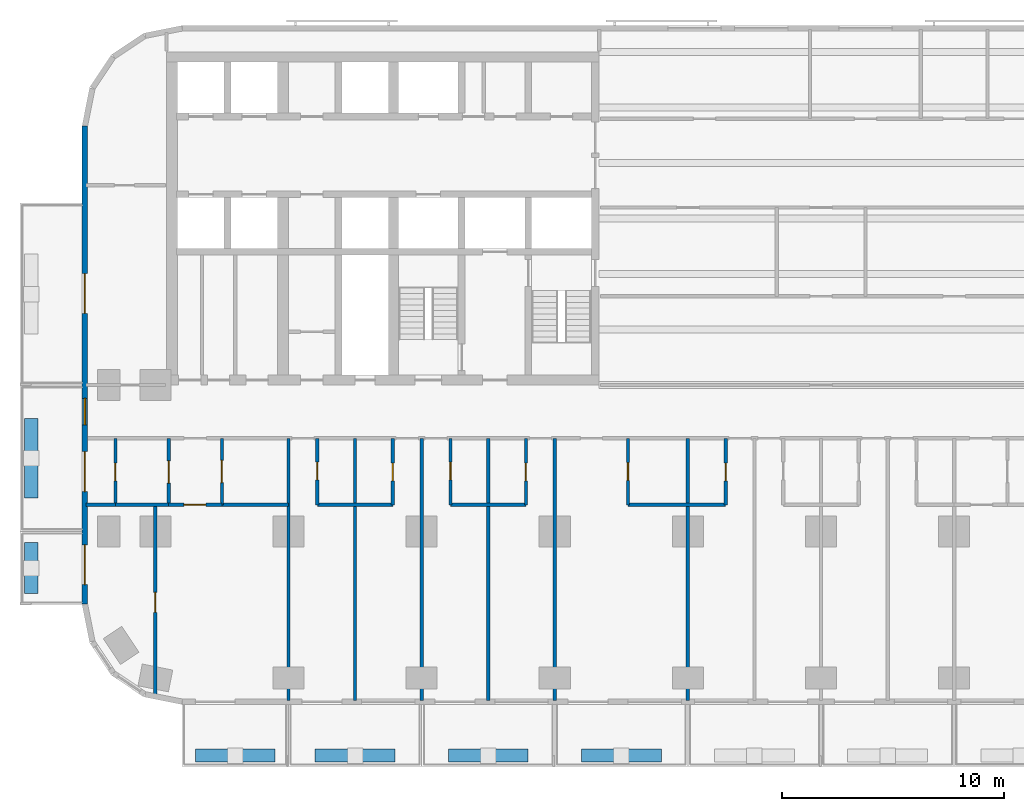
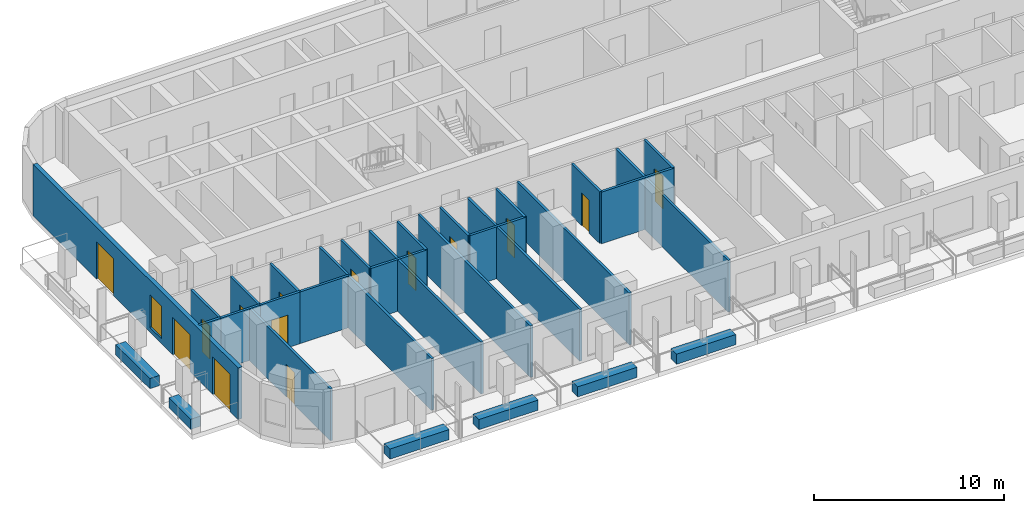
# One storey, part 2 of 15: 30 walls, 14 doors, 1 window, 15 openings.
"""IFC4 building model written with IfcOpenShell, lengths in metres."""

from ifc_helpers import new_model, si_unit, direction, frame, frame_2d, origin, place, context, subcontext, project, spatial, rectangle, extrude, material, layer, layer_set, type_object, element, fill, save


model = new_model("IFC4")

# Units and contexts
model_context = context("Model", 3, precision=1e-05, world=origin(), true_north=direction((0.0, 1.0)))
body_context = subcontext(model_context, "Body", "Model", "MODEL_VIEW")
ifc_project = project(units=[si_unit("LENGTHUNIT", "METRE"), si_unit("AREAUNIT", "SQUARE_METRE"), si_unit("VOLUMEUNIT", "CUBIC_METRE"), si_unit("PLANEANGLEUNIT", "RADIAN"), si_unit("MASSUNIT", "GRAM", prefix="KILO")], contexts=[model_context])

# Site, building, storey
site_placement = place(None, origin())
site = spatial("IfcSite", under=ifc_project, at=site_placement, CompositionType="ELEMENT")
building_placement = place(site_placement, origin())
building = spatial("IfcBuilding", under=site, at=building_placement, Name="Torana Hotel and Residences", CompositionType="ELEMENT")
storey_placement = place(building_placement, frame((0.0, 0.0, 49.199951171875)))
storey = spatial("IfcBuildingStorey", under=building, at=storey_placement, Name="L11", CompositionType="ELEMENT", Elevation=49.199951171875)

# Wall, openings, doors, window
ifc_material_1 = material(Name="Black aluminium composite panel", Category="aluminium")
ifc_layer_1 = layer(ifc_material_1, 0.00390625, Name="Cladding", Category="cladding")
ifc_material_2 = material(Name="Ventilated air cavity")
ifc_layer_2 = layer(ifc_material_2, 0.0400390625, Name="Ventilated cavity", Category="cavity")
ifc_material_3 = material(Name="Mineral wool insulation")
ifc_layer_3 = layer(ifc_material_3, 0.090087890625, Name="Insulation", Category="insulation")
ifc_material_4 = material(Name="Steel S280GD", Category="steel")
ifc_layer_4 = layer(ifc_material_4, 0.092041015625, Name="Steel stud frame", Category="structure")
ifc_material_5 = material(Name="Fire rated plasterboard")
ifc_layer_5 = layer(ifc_material_5, 0.011962890625, Name="Inner board", Category="finish")
ifc_layer_6 = layer(ifc_material_5, 0.011962890625, Name="Second board", Category="finish")
ifc_layer_set_1 = layer_set([ifc_layer_1, ifc_layer_2, ifc_layer_3, ifc_layer_4, ifc_layer_5, ifc_layer_6], Name="EW1 EXTERNAL WALL BLACK METAL CLAD 250")
wall_type_1 = type_object("IfcWallType", Name="EW1 EXTERNAL WALL BLACK METAL CLAD 250", PredefinedType="SOLIDWALL", material=ifc_layer_set_1)
wall_1_placement = place(storey_placement, frame((-33.175048828125, -3.32470703125, 0.0), z_axis=(0.0, 0.0, 1.0), x_axis=(0.0, -1.0, 0.0)))
wall_1 = element("IfcWall", 1, at=wall_1_placement, inside=storey, type_object=wall_type_1, Name="External wall L11 e0.9", PredefinedType="SOLIDWALL", context=body_context, shape_type="SweptSolid", body=[
    extrude(rectangle(XDim=21.55078125, YDim=0.25, at=frame_2d((10.775390625, 0.0))), origin(), (0.0, 0.0, 1.0), 3.320068359375),
])
opening_1_placement = place(wall_1_placement, frame((6.650390625, 0.0, 0.0)))
opening_1 = element("IfcOpeningElement", 2, at=opening_1_placement, cuts=wall_1, Name="Opening L11-E14", PredefinedType="OPENING", context=body_context, shape_type="SweptSolid", body=[
    extrude(rectangle(XDim=1.800048828125, YDim=2.39990234375, at=frame_2d((0.89990234375, 1.199951171875))), frame((0.0, 0.135009765625, 0.0), z_axis=(0.0, -1.0, 0.0), x_axis=(1.0, 0.0, 0.0)), (0.0, 0.0, 1.0), 0.27001953125),
])
opening_2_placement = place(wall_1_placement, frame((12.275390625, 0.0, 0.300048828125)))
opening_2 = element("IfcOpeningElement", 3, at=opening_2_placement, cuts=wall_1, Name="Opening W7", PredefinedType="OPENING", context=body_context, shape_type="SweptSolid", body=[
    extrude(rectangle(XDim=1.199951171875, YDim=2.10009765625, at=frame_2d((0.60009765625, 1.050048828125))), frame((0.0, 0.135009765625, 0.0), z_axis=(0.0, -1.0, 0.0), x_axis=(1.0, 0.0, 0.0)), (0.0, 0.0, 1.0), 0.27001953125),
])
opening_3_placement = place(wall_1_placement, frame((14.67529296875, 0.0, 0.0)))
opening_3 = element("IfcOpeningElement", 4, at=opening_3_placement, cuts=wall_1, Name="Opening L11-E15", PredefinedType="OPENING", context=body_context, shape_type="SweptSolid", body=[
    extrude(rectangle(XDim=1.800048828125, YDim=2.39990234375, at=frame_2d((0.89990234375, 1.199951171875))), frame((0.0, 0.135009765625, 0.0), z_axis=(0.0, -1.0, 0.0), x_axis=(1.0, 0.0, 0.0)), (0.0, 0.0, 1.0), 0.27001953125),
])
opening_4_placement = place(wall_1_placement, frame((18.87548828125, 0.0, 0.0)))
opening_4 = element("IfcOpeningElement", 5, at=opening_4_placement, cuts=wall_1, Name="Opening L11-E16", PredefinedType="OPENING", context=body_context, shape_type="SweptSolid", body=[
    extrude(rectangle(XDim=1.800048828125, YDim=2.39990234375, at=frame_2d((0.89990234375, 1.199951171875))), frame((0.0, 0.135009765625, 0.0), z_axis=(0.0, -1.0, 0.0), x_axis=(1.0, 0.0, 0.0)), (0.0, 0.0, 1.0), 0.27001953125),
])
ifc_material_6 = material(Name="Dark glass in black aluminium frame", Category="aluminium")
door_type_1 = type_object("IfcDoorType", Name="DB1 BALCONY DOOR 1800x2400", OperationType="DOUBLE_DOOR_SINGLE_SWING", PredefinedType="DOOR", material=ifc_material_6)
door_1_placement = place(opening_1_placement, origin())
door_1 = element("IfcDoor", 6, at=door_1_placement, inside=storey, type_object=door_type_1, Name="Balcony door L11", OperationType="DOUBLE_DOOR_SINGLE_SWING", OverallHeight=2.39990234375, OverallWidth=1.800048828125, PredefinedType="DOOR", context=body_context, shape_type="SweptSolid", body=[
    extrude(rectangle(XDim=1.800048828125, YDim=2.39990234375, at=frame_2d((0.89990234375, 1.199951171875))), frame((0.0, 0.02490234375, 0.0), z_axis=(0.0, -1.0, 0.0), x_axis=(1.0, 0.0, 0.0)), (0.0, 0.0, 1.0), 0.050048828125),
])
fill(opening_1, door_1)
door_2_placement = place(opening_3_placement, origin())
door_2 = element("IfcDoor", 7, at=door_2_placement, inside=storey, type_object=door_type_1, Name="Balcony door L11", OperationType="DOUBLE_DOOR_SINGLE_SWING", OverallHeight=2.39990234375, OverallWidth=1.800048828125, PredefinedType="DOOR", context=body_context, shape_type="SweptSolid", body=[
    extrude(rectangle(XDim=1.800048828125, YDim=2.39990234375, at=frame_2d((0.89990234375, 1.199951171875))), frame((0.0, 0.02490234375, 0.0), z_axis=(0.0, -1.0, 0.0), x_axis=(1.0, 0.0, 0.0)), (0.0, 0.0, 1.0), 0.050048828125),
])
fill(opening_3, door_2)
door_3_placement = place(opening_4_placement, frame((0.89990234375, 0.0, 0.0), z_axis=(0.0, 0.0, 1.0), x_axis=(-1.0, 0.0, 0.0)))
door_3 = element("IfcDoor", 8, at=door_3_placement, inside=storey, type_object=door_type_1, Name="Balcony door L11", OperationType="DOUBLE_DOOR_SINGLE_SWING", OverallHeight=2.39990234375, OverallWidth=1.800048828125, PredefinedType="DOOR", context=body_context, shape_type="SweptSolid", body=[
    extrude(rectangle(XDim=1.800048828125, YDim=2.39990234375, at=frame_2d((0.0, 1.199951171875))), frame((0.0, -0.02490234375, 0.0), z_axis=(0.0, 1.0, 0.0), x_axis=(-1.0, 0.0, 0.0)), (0.0, 0.0, 1.0), 0.050048828125),
])
fill(opening_4, door_3)
ifc_material_7 = material(Name="Dark glass in black aluminium frame", Category="aluminium")
window_type = type_object("IfcWindowType", Name="W7 HOTEL CORRIDOR WINDOW 1200x2100", PartitioningType="SINGLE_PANEL", PredefinedType="WINDOW", material=ifc_material_7)
window_placement = place(opening_2_placement, origin())
window = element("IfcWindow", 9, at=window_placement, inside=storey, type_object=window_type, Name="Window L11", OverallHeight=2.10009765625, OverallWidth=1.199951171875, PartitioningType="SINGLE_PANEL", PredefinedType="WINDOW", context=body_context, shape_type="SweptSolid", body=[
    extrude(rectangle(XDim=1.199951171875, YDim=2.10009765625, at=frame_2d((0.60009765625, 1.050048828125))), frame((0.0, 0.030029296875, 0.0), z_axis=(0.0, -1.0, 0.0), x_axis=(1.0, 0.0, 0.0)), (0.0, 0.0, 1.0), 0.06005859375),
])
fill(opening_2, window)

# Wall, opening, door
ifc_material_8 = material(Name="Gypsum plaster")
ifc_layer_7 = layer(ifc_material_8, 0.014892578125, Name="Plaster", Category="finish")
ifc_material_9 = material(Name="Concrete blockwork", Category="masonry")
ifc_layer_8 = layer(ifc_material_9, 0.1201171875, Name="Blockwork", Category="structure")
ifc_layer_9 = layer(ifc_material_8, 0.014892578125, Name="Plaster", Category="finish")
ifc_layer_set_2 = layer_set([ifc_layer_7, ifc_layer_8, ifc_layer_9], Name="FIRE PARTITION 150 BLOCKWORK")
wall_type_2 = type_object("IfcWallType", Name="FIRE PARTITION 150 BLOCKWORK", PredefinedType="PARTITIONING", material=ifc_layer_set_2)
wall_2_placement = place(storey_placement, frame((-27.0, -20.39990234375, 0.0), z_axis=(0.0, 0.0, 1.0), x_axis=(0.0, 1.0, 0.0)))
wall_2 = element("IfcWall", 10, at=wall_2_placement, inside=storey, type_object=wall_type_2, Name="Partition L11", PredefinedType="PARTITIONING", context=body_context, shape_type="SweptSolid", body=[
    extrude(rectangle(XDim=3.0, YDim=0.14990234375, at=frame_2d((1.5, 0.0))), origin(), (0.0, 0.0, 1.0), 3.320068359375),
])
opening_5_placement = place(wall_2_placement, frame((1.0, 0.0, 0.0)))
opening_5 = element("IfcOpeningElement", 11, at=opening_5_placement, cuts=wall_2, Name="Opening L11-79", PredefinedType="OPENING", context=body_context, shape_type="SweptSolid", body=[
    extrude(rectangle(XDim=1.0, YDim=2.10009765625, at=frame_2d((0.5, 1.050048828125))), frame((0.0, 0.0849609375, 0.0), z_axis=(0.0, -1.0, 0.0), x_axis=(1.0, 0.0, 0.0)), (0.0, 0.0, 1.0), 0.169921875),
])
ifc_material_10 = material(Name="Steel S235", Category="steel")
door_type_2 = type_object("IfcDoorType", Name="ENTRY FIRE DOOR D6 1000x2100", OperationType="SINGLE_SWING_LEFT", PredefinedType="DOOR", material=ifc_material_10)
door_4_placement = place(opening_5_placement, frame((0.5, 0.0, 0.0), z_axis=(0.0, 0.0, 1.0), x_axis=(-1.0, 0.0, 0.0)))
door_4 = element("IfcDoor", 12, at=door_4_placement, inside=storey, type_object=door_type_2, Name="Door L11", OperationType="SINGLE_SWING_LEFT", OverallHeight=2.10009765625, OverallWidth=1.0, PredefinedType="DOOR", context=body_context, shape_type="SweptSolid", body=[
    extrude(rectangle(XDim=1.0, YDim=2.10009765625, at=frame_2d((0.0, 1.050048828125))), frame((0.0, -0.02490234375, 0.0), z_axis=(0.0, 1.0, 0.0), x_axis=(-1.0, 0.0, 0.0)), (0.0, 0.0, 1.0), 0.050048828125),
])
fill(opening_5, door_4)

wall_3_placement = place(storey_placement, frame((-29.39990234375, -20.39990234375, 0.0), z_axis=(0.0, 0.0, 1.0), x_axis=(0.0, 1.0, 0.0)))
wall_3 = element("IfcWall", 13, at=wall_3_placement, inside=storey, type_object=wall_type_2, Name="Partition L11", PredefinedType="PARTITIONING", context=body_context, shape_type="SweptSolid", body=[
    extrude(rectangle(XDim=3.0, YDim=0.14990234375, at=frame_2d((1.5, 0.0))), origin(), (0.0, 0.0, 1.0), 3.320068359375),
])
opening_6_placement = place(wall_3_placement, frame((0.97998046875, 0.0, 0.0)))
opening_6 = element("IfcOpeningElement", 14, at=opening_6_placement, cuts=wall_3, Name="Opening L11-80", PredefinedType="OPENING", context=body_context, shape_type="SweptSolid", body=[
    extrude(rectangle(XDim=1.0, YDim=2.10009765625, at=frame_2d((0.5, 1.050048828125))), frame((0.0, 0.0849609375, 0.0), z_axis=(0.0, -1.0, 0.0), x_axis=(1.0, 0.0, 0.0)), (0.0, 0.0, 1.0), 0.169921875),
])
door_5_placement = place(opening_6_placement, origin())
door_5 = element("IfcDoor", 15, at=door_5_placement, inside=storey, type_object=door_type_2, Name="Door L11", OperationType="SINGLE_SWING_RIGHT", OverallHeight=2.10009765625, OverallWidth=1.0, PredefinedType="DOOR", context=body_context, shape_type="SweptSolid", body=[
    extrude(rectangle(XDim=1.0, YDim=2.10009765625, at=frame_2d((0.5, 1.050048828125))), frame((0.0, 0.02490234375, 0.0), z_axis=(0.0, -1.0, 0.0), x_axis=(1.0, 0.0, 0.0)), (0.0, 0.0, 1.0), 0.050048828125),
])
fill(opening_6, door_5)

wall_4_placement = place(storey_placement, frame((-29.39990234375, -20.39990234375, 0.0), z_axis=(0.0, 0.0, 1.0), x_axis=(1.0, 0.0, 0.0)))
wall_4 = element("IfcWall", 16, at=wall_4_placement, inside=storey, type_object=wall_type_2, Name="Partition L11", PredefinedType="PARTITIONING", context=body_context, shape_type="SweptSolid", body=[
    extrude(rectangle(XDim=2.39990234375, YDim=0.14990234375, at=frame_2d((1.199951171875, 0.0))), origin(), (0.0, 0.0, 1.0), 3.320068359375),
])
opening_7_placement = place(wall_4_placement, frame((0.679931640625, 0.0, 0.0)))
opening_7 = element("IfcOpeningElement", 17, at=opening_7_placement, cuts=wall_4, Name="Opening L11-81", PredefinedType="OPENING", context=body_context, shape_type="SweptSolid", body=[
    extrude(rectangle(XDim=1.0, YDim=2.10009765625, at=frame_2d((0.5, 1.050048828125))), frame((0.0, 0.0849609375, 0.0), z_axis=(0.0, -1.0, 0.0), x_axis=(1.0, 0.0, 0.0)), (0.0, 0.0, 1.0), 0.169921875),
])
door_6_placement = place(opening_7_placement, frame((0.5, 0.0, 0.0), z_axis=(0.0, 0.0, 1.0), x_axis=(-1.0, 0.0, 0.0)))
door_6 = element("IfcDoor", 18, at=door_6_placement, inside=storey, type_object=door_type_2, Name="Door L11", OperationType="SINGLE_SWING_LEFT", OverallHeight=2.10009765625, OverallWidth=1.0, PredefinedType="DOOR", context=body_context, shape_type="SweptSolid", body=[
    extrude(rectangle(XDim=1.0, YDim=2.10009765625, at=frame_2d((0.0, 1.050048828125))), frame((0.0, -0.02490234375, 0.0), z_axis=(0.0, 1.0, 0.0), x_axis=(-1.0, 0.0, 0.0)), (0.0, 0.0, 1.0), 0.050048828125),
])
fill(opening_7, door_6)

ifc_material_11 = material(Name="Gypsum plasterboard")
ifc_layer_10 = layer(ifc_material_11, 0.012451171875, Name="Plasterboard", Category="finish")
ifc_layer_11 = layer(ifc_material_11, 0.012451171875, Name="Plasterboard", Category="finish")
ifc_layer_12 = layer(ifc_material_4, 0.10009765625, Name="Steel studs with mineral wool", Category="insulation")
ifc_layer_13 = layer(ifc_material_11, 0.012451171875, Name="Plasterboard", Category="finish")
ifc_layer_14 = layer(ifc_material_11, 0.012451171875, Name="Plasterboard", Category="finish")
ifc_layer_set_3 = layer_set([ifc_layer_10, ifc_layer_11, ifc_layer_12, ifc_layer_13, ifc_layer_14], Name="PARTITION 150 PLASTERBOARD")
wall_type_3 = type_object("IfcWallType", Name="PARTITION 150 PLASTERBOARD", PredefinedType="PARTITIONING", material=ifc_layer_set_3)
wall_5_placement = place(storey_placement, frame((-4.300048828125, -20.39990234375, 0.0), z_axis=(0.0, 0.0, 1.0), x_axis=(0.0, 1.0, 0.0)))
wall_5 = element("IfcWall", 19, at=wall_5_placement, inside=storey, type_object=wall_type_3, Name="Partition L11", PredefinedType="PARTITIONING", context=body_context, shape_type="SweptSolid", body=[
    extrude(rectangle(XDim=3.0, YDim=0.14990234375, at=frame_2d((1.5, 0.0))), origin(), (0.0, 0.0, 1.0), 3.320068359375),
])
opening_8_placement = place(wall_5_placement, frame((1.080078125, 0.0, 0.0)))
opening_8 = element("IfcOpeningElement", 20, at=opening_8_placement, cuts=wall_5, Name="Opening L11-68", PredefinedType="OPENING", context=body_context, shape_type="SweptSolid", body=[
    extrude(rectangle(XDim=0.800048828125, YDim=2.10009765625, at=frame_2d((0.39990234375, 1.050048828125))), frame((0.0, 0.0849609375, 0.0), z_axis=(0.0, -1.0, 0.0), x_axis=(1.0, 0.0, 0.0)), (0.0, 0.0, 1.0), 0.169921875),
])
ifc_material_12 = material(Name="Timber door, painted", Category="wood")
door_type_3 = type_object("IfcDoorType", Name="BATH DOOR D13 800x2100", OperationType="SINGLE_SWING_LEFT", PredefinedType="DOOR", material=ifc_material_12)
door_7_placement = place(opening_8_placement, origin())
door_7 = element("IfcDoor", 21, at=door_7_placement, inside=storey, type_object=door_type_3, Name="Door L11", OperationType="SINGLE_SWING_RIGHT", OverallHeight=2.10009765625, OverallWidth=0.800048828125, PredefinedType="DOOR", context=body_context, shape_type="SweptSolid", body=[
    extrude(rectangle(XDim=0.800048828125, YDim=2.10009765625, at=frame_2d((0.39990234375, 1.050048828125))), frame((0.0, 0.02490234375, 0.0), z_axis=(0.0, -1.0, 0.0), x_axis=(1.0, 0.0, 0.0)), (0.0, 0.0, 1.0), 0.050048828125),
])
fill(opening_8, door_7)

# Wall
wall_6_placement = place(storey_placement, frame((-6.0, -29.219970703125, 0.0), z_axis=(0.0, 0.0, 1.0), x_axis=(0.0, 1.0, 0.0)))
element("IfcWall", 22, at=wall_6_placement, inside=storey, type_object=wall_type_3, Name="Partition L11", PredefinedType="PARTITIONING", context=body_context, shape_type="SweptSolid", body=[
    extrude(rectangle(XDim=11.820068359375, YDim=0.14990234375, at=frame_2d((5.91015625, 0.0))), origin(), (0.0, 0.0, 1.0), 3.320068359375),
])

# Wall, opening, door
wall_7_placement = place(storey_placement, frame((-8.699951171875, -20.39990234375, 0.0), z_axis=(0.0, 0.0, 1.0), x_axis=(0.0, 1.0, 0.0)))
wall_7 = element("IfcWall", 23, at=wall_7_placement, inside=storey, type_object=wall_type_3, Name="Partition L11", PredefinedType="PARTITIONING", context=body_context, shape_type="SweptSolid", body=[
    extrude(rectangle(XDim=3.0, YDim=0.14990234375, at=frame_2d((1.5, 0.0))), origin(), (0.0, 0.0, 1.0), 3.320068359375),
])
opening_9_placement = place(wall_7_placement, frame((1.10009765625, 0.0, 0.0)))
opening_9 = element("IfcOpeningElement", 24, at=opening_9_placement, cuts=wall_7, Name="Opening L11-67", PredefinedType="OPENING", context=body_context, shape_type="SweptSolid", body=[
    extrude(rectangle(XDim=0.800048828125, YDim=2.10009765625, at=frame_2d((0.39990234375, 1.050048828125))), frame((0.0, 0.0849609375, 0.0), z_axis=(0.0, -1.0, 0.0), x_axis=(1.0, 0.0, 0.0)), (0.0, 0.0, 1.0), 0.169921875),
])
door_8_placement = place(opening_9_placement, origin())
door_8 = element("IfcDoor", 25, at=door_8_placement, inside=storey, type_object=door_type_3, Name="Door L11", OperationType="SINGLE_SWING_LEFT", OverallHeight=2.10009765625, OverallWidth=0.800048828125, PredefinedType="DOOR", context=body_context, shape_type="SweptSolid", body=[
    extrude(rectangle(XDim=0.800048828125, YDim=2.10009765625, at=frame_2d((0.39990234375, 1.050048828125))), frame((0.0, 0.02490234375, 0.0), z_axis=(0.0, -1.0, 0.0), x_axis=(1.0, 0.0, 0.0)), (0.0, 0.0, 1.0), 0.050048828125),
])
fill(opening_9, door_8)

# Wall
wall_8_placement = place(storey_placement, frame((-12.0, -29.219970703125, 0.0), z_axis=(0.0, 0.0, 1.0), x_axis=(0.0, 1.0, 0.0)))
element("IfcWall", 26, at=wall_8_placement, inside=storey, type_object=wall_type_3, Name="Partition L11", PredefinedType="PARTITIONING", context=body_context, shape_type="SweptSolid", body=[
    extrude(rectangle(XDim=11.820068359375, YDim=0.14990234375, at=frame_2d((5.91015625, 0.0))), origin(), (0.0, 0.0, 1.0), 3.320068359375),
])

# Wall, opening, door
wall_9_placement = place(storey_placement, frame((-13.300048828125, -20.39990234375, 0.0), z_axis=(0.0, 0.0, 1.0), x_axis=(0.0, 1.0, 0.0)))
wall_9 = element("IfcWall", 27, at=wall_9_placement, inside=storey, type_object=wall_type_3, Name="Partition L11", PredefinedType="PARTITIONING", context=body_context, shape_type="SweptSolid", body=[
    extrude(rectangle(XDim=3.0, YDim=0.14990234375, at=frame_2d((1.5, 0.0))), origin(), (0.0, 0.0, 1.0), 3.320068359375),
])
opening_10_placement = place(wall_9_placement, frame((1.080078125, 0.0, 0.0)))
opening_10 = element("IfcOpeningElement", 28, at=opening_10_placement, cuts=wall_9, Name="Opening L11-66", PredefinedType="OPENING", context=body_context, shape_type="SweptSolid", body=[
    extrude(rectangle(XDim=0.800048828125, YDim=2.10009765625, at=frame_2d((0.39990234375, 1.050048828125))), frame((0.0, 0.0849609375, 0.0), z_axis=(0.0, -1.0, 0.0), x_axis=(1.0, 0.0, 0.0)), (0.0, 0.0, 1.0), 0.169921875),
])
door_9_placement = place(opening_10_placement, origin())
door_9 = element("IfcDoor", 29, at=door_9_placement, inside=storey, type_object=door_type_3, Name="Door L11", OperationType="SINGLE_SWING_RIGHT", OverallHeight=2.10009765625, OverallWidth=0.800048828125, PredefinedType="DOOR", context=body_context, shape_type="SweptSolid", body=[
    extrude(rectangle(XDim=0.800048828125, YDim=2.10009765625, at=frame_2d((0.39990234375, 1.050048828125))), frame((0.0, 0.02490234375, 0.0), z_axis=(0.0, -1.0, 0.0), x_axis=(1.0, 0.0, 0.0)), (0.0, 0.0, 1.0), 0.050048828125),
])
fill(opening_10, door_9)

# Wall
wall_10_placement = place(storey_placement, frame((-15.0, -29.219970703125, 0.0), z_axis=(0.0, 0.0, 1.0), x_axis=(0.0, 1.0, 0.0)))
element("IfcWall", 30, at=wall_10_placement, inside=storey, type_object=wall_type_3, Name="Partition L11", PredefinedType="PARTITIONING", context=body_context, shape_type="SweptSolid", body=[
    extrude(rectangle(XDim=11.820068359375, YDim=0.14990234375, at=frame_2d((5.91015625, 0.0))), origin(), (0.0, 0.0, 1.0), 3.320068359375),
])

# Wall, opening, door
wall_11_placement = place(storey_placement, frame((-16.699951171875, -20.39990234375, 0.0), z_axis=(0.0, 0.0, 1.0), x_axis=(0.0, 1.0, 0.0)))
wall_11 = element("IfcWall", 31, at=wall_11_placement, inside=storey, type_object=wall_type_3, Name="Partition L11", PredefinedType="PARTITIONING", context=body_context, shape_type="SweptSolid", body=[
    extrude(rectangle(XDim=3.0, YDim=0.14990234375, at=frame_2d((1.5, 0.0))), origin(), (0.0, 0.0, 1.0), 3.320068359375),
])
opening_11_placement = place(wall_11_placement, frame((1.1201171875, 0.0, 0.0)))
opening_11 = element("IfcOpeningElement", 32, at=opening_11_placement, cuts=wall_11, Name="Opening L11-65", PredefinedType="OPENING", context=body_context, shape_type="SweptSolid", body=[
    extrude(rectangle(XDim=0.800048828125, YDim=2.10009765625, at=frame_2d((0.39990234375, 1.050048828125))), frame((0.0, 0.0849609375, 0.0), z_axis=(0.0, -1.0, 0.0), x_axis=(1.0, 0.0, 0.0)), (0.0, 0.0, 1.0), 0.169921875),
])
door_10_placement = place(opening_11_placement, origin())
door_10 = element("IfcDoor", 33, at=door_10_placement, inside=storey, type_object=door_type_3, Name="Door L11", OperationType="SINGLE_SWING_LEFT", OverallHeight=2.10009765625, OverallWidth=0.800048828125, PredefinedType="DOOR", context=body_context, shape_type="SweptSolid", body=[
    extrude(rectangle(XDim=0.800048828125, YDim=2.10009765625, at=frame_2d((0.39990234375, 1.050048828125))), frame((0.0, 0.02490234375, 0.0), z_axis=(0.0, -1.0, 0.0), x_axis=(1.0, 0.0, 0.0)), (0.0, 0.0, 1.0), 0.050048828125),
])
fill(opening_11, door_10)

# Wall
wall_12_placement = place(storey_placement, frame((-18.0, -29.219970703125, 0.0), z_axis=(0.0, 0.0, 1.0), x_axis=(0.0, 1.0, 0.0)))
element("IfcWall", 34, at=wall_12_placement, inside=storey, type_object=wall_type_3, Name="Partition L11", PredefinedType="PARTITIONING", context=body_context, shape_type="SweptSolid", body=[
    extrude(rectangle(XDim=11.820068359375, YDim=0.14990234375, at=frame_2d((5.91015625, 0.0))), origin(), (0.0, 0.0, 1.0), 3.320068359375),
])

# Wall, opening, door
wall_13_placement = place(storey_placement, frame((-19.300048828125, -20.39990234375, 0.0), z_axis=(0.0, 0.0, 1.0), x_axis=(0.0, 1.0, 0.0)))
wall_13 = element("IfcWall", 35, at=wall_13_placement, inside=storey, type_object=wall_type_3, Name="Partition L11", PredefinedType="PARTITIONING", context=body_context, shape_type="SweptSolid", body=[
    extrude(rectangle(XDim=3.0, YDim=0.14990234375, at=frame_2d((1.5, 0.0))), origin(), (0.0, 0.0, 1.0), 3.320068359375),
])
opening_12_placement = place(wall_13_placement, frame((1.080078125, 0.0, 0.0)))
opening_12 = element("IfcOpeningElement", 36, at=opening_12_placement, cuts=wall_13, Name="Opening L11-64", PredefinedType="OPENING", context=body_context, shape_type="SweptSolid", body=[
    extrude(rectangle(XDim=0.800048828125, YDim=2.10009765625, at=frame_2d((0.39990234375, 1.050048828125))), frame((0.0, 0.0849609375, 0.0), z_axis=(0.0, -1.0, 0.0), x_axis=(1.0, 0.0, 0.0)), (0.0, 0.0, 1.0), 0.169921875),
])
door_11_placement = place(opening_12_placement, origin())
door_11 = element("IfcDoor", 37, at=door_11_placement, inside=storey, type_object=door_type_3, Name="Door L11", OperationType="SINGLE_SWING_RIGHT", OverallHeight=2.10009765625, OverallWidth=0.800048828125, PredefinedType="DOOR", context=body_context, shape_type="SweptSolid", body=[
    extrude(rectangle(XDim=0.800048828125, YDim=2.10009765625, at=frame_2d((0.39990234375, 1.050048828125))), frame((0.0, 0.02490234375, 0.0), z_axis=(0.0, -1.0, 0.0), x_axis=(1.0, 0.0, 0.0)), (0.0, 0.0, 1.0), 0.050048828125),
])
fill(opening_12, door_11)

# Wall
wall_14_placement = place(storey_placement, frame((-21.0, -29.219970703125, 0.0), z_axis=(0.0, 0.0, 1.0), x_axis=(0.0, 1.0, 0.0)))
element("IfcWall", 38, at=wall_14_placement, inside=storey, type_object=wall_type_3, Name="Partition L11", PredefinedType="PARTITIONING", context=body_context, shape_type="SweptSolid", body=[
    extrude(rectangle(XDim=11.820068359375, YDim=0.14990234375, at=frame_2d((5.91015625, 0.0))), origin(), (0.0, 0.0, 1.0), 3.320068359375),
])

# Wall, opening, door
wall_15_placement = place(storey_placement, frame((-22.699951171875, -20.39990234375, 0.0), z_axis=(0.0, 0.0, 1.0), x_axis=(0.0, 1.0, 0.0)))
wall_15 = element("IfcWall", 39, at=wall_15_placement, inside=storey, type_object=wall_type_3, Name="Partition L11", PredefinedType="PARTITIONING", context=body_context, shape_type="SweptSolid", body=[
    extrude(rectangle(XDim=3.0, YDim=0.14990234375, at=frame_2d((1.5, 0.0))), origin(), (0.0, 0.0, 1.0), 3.320068359375),
])
opening_13_placement = place(wall_15_placement, frame((1.1201171875, 0.0, 0.0)))
opening_13 = element("IfcOpeningElement", 40, at=opening_13_placement, cuts=wall_15, Name="Opening L11-63", PredefinedType="OPENING", context=body_context, shape_type="SweptSolid", body=[
    extrude(rectangle(XDim=0.800048828125, YDim=2.10009765625, at=frame_2d((0.39990234375, 1.050048828125))), frame((0.0, 0.0849609375, 0.0), z_axis=(0.0, -1.0, 0.0), x_axis=(1.0, 0.0, 0.0)), (0.0, 0.0, 1.0), 0.169921875),
])
door_12_placement = place(opening_13_placement, origin())
door_12 = element("IfcDoor", 41, at=door_12_placement, inside=storey, type_object=door_type_3, Name="Door L11", OperationType="SINGLE_SWING_LEFT", OverallHeight=2.10009765625, OverallWidth=0.800048828125, PredefinedType="DOOR", context=body_context, shape_type="SweptSolid", body=[
    extrude(rectangle(XDim=0.800048828125, YDim=2.10009765625, at=frame_2d((0.39990234375, 1.050048828125))), frame((0.0, 0.02490234375, 0.0), z_axis=(0.0, -1.0, 0.0), x_axis=(1.0, 0.0, 0.0)), (0.0, 0.0, 1.0), 0.050048828125),
])
fill(opening_13, door_12)

# Wall
wall_16_placement = place(storey_placement, frame((-24.0, -29.219970703125, 0.0), z_axis=(0.0, 0.0, 1.0), x_axis=(0.0, 1.0, 0.0)))
element("IfcWall", 42, at=wall_16_placement, inside=storey, type_object=wall_type_3, Name="Partition L11", PredefinedType="PARTITIONING", context=body_context, shape_type="SweptSolid", body=[
    extrude(rectangle(XDim=11.820068359375, YDim=0.14990234375, at=frame_2d((5.91015625, 0.0))), origin(), (0.0, 0.0, 1.0), 3.320068359375),
])

# Wall, opening, door
wall_17_placement = place(storey_placement, frame((-30.0, -28.977783203125, 0.0), z_axis=(0.0, 0.0, 1.0), x_axis=(0.0, 1.0, 0.0)))
wall_17 = element("IfcWall", 43, at=wall_17_placement, inside=storey, type_object=wall_type_3, Name="Partition L11", PredefinedType="PARTITIONING", context=body_context, shape_type="SweptSolid", body=[
    extrude(rectangle(XDim=8.577880859375, YDim=0.14990234375, at=frame_2d((4.2890625, 0.0))), origin(), (0.0, 0.0, 1.0), 3.320068359375),
])
opening_14_placement = place(wall_17_placement, frame((3.73681640625, 0.0, 0.0)))
opening_14 = element("IfcOpeningElement", 44, at=opening_14_placement, cuts=wall_17, Name="Opening L11-83", PredefinedType="OPENING", context=body_context, shape_type="SweptSolid", body=[
    extrude(rectangle(XDim=0.89990234375, YDim=2.10009765625, at=frame_2d((0.449951171875, 1.050048828125))), frame((0.0, 0.0849609375, 0.0), z_axis=(0.0, -1.0, 0.0), x_axis=(1.0, 0.0, 0.0)), (0.0, 0.0, 1.0), 0.169921875),
])
ifc_material_13 = material(Name="Timber door, oiled ash", Category="wood")
door_type_4 = type_object("IfcDoorType", Name="ROOM DOOR D7 900x2100", OperationType="SINGLE_SWING_LEFT", PredefinedType="DOOR", material=ifc_material_13)
door_13_placement = place(opening_14_placement, origin())
door_13 = element("IfcDoor", 45, at=door_13_placement, inside=storey, type_object=door_type_4, Name="Door L11", OperationType="SINGLE_SWING_RIGHT", OverallHeight=2.10009765625, OverallWidth=0.89990234375, PredefinedType="DOOR", context=body_context, shape_type="SweptSolid", body=[
    extrude(rectangle(XDim=0.89990234375, YDim=2.10009765625, at=frame_2d((0.449951171875, 1.050048828125))), frame((0.0, 0.02490234375, 0.0), z_axis=(0.0, -1.0, 0.0), x_axis=(1.0, 0.0, 0.0)), (0.0, 0.0, 1.0), 0.050048828125),
])
fill(opening_14, door_13)

# Walls
wall_18_placement = place(storey_placement, frame((-31.800048828125, -20.39990234375, 0.0), z_axis=(0.0, 0.0, 1.0), x_axis=(1.0, 0.0, 0.0)))
element("IfcWall", 46, at=wall_18_placement, inside=storey, type_object=wall_type_3, Name="Partition L11", PredefinedType="PARTITIONING", context=body_context, shape_type="SweptSolid", body=[
    extrude(rectangle(XDim=2.400146484375, YDim=0.14990234375, at=frame_2d((1.2001953125, 0.0))), origin(), (0.0, 0.0, 1.0), 3.320068359375),
])
wall_19_placement = place(storey_placement, frame((-27.0, -20.39990234375, 0.0), z_axis=(0.0, 0.0, 1.0), x_axis=(1.0, 0.0, 0.0)))
element("IfcWall", 47, at=wall_19_placement, inside=storey, type_object=wall_type_3, Name="Partition L11", PredefinedType="PARTITIONING", context=body_context, shape_type="SweptSolid", body=[
    extrude(rectangle(XDim=3.0, YDim=0.14990234375, at=frame_2d((1.5, 0.0))), origin(), (0.0, 0.0, 1.0), 3.320068359375),
])
for number, where, z_axis, x_axis, name in (
    (48, (-22.699951171875, -20.39990234375, 0.0), (0.0, 0.0, 1.0), (1.0, 0.0, 0.0), "Partition L11"),
    (49, (-16.699951171875, -20.39990234375, 0.0), (0.0, 0.0, 1.0), (1.0, 0.0, 0.0), "Partition L11"),
):
    element("IfcWall", number, at=place(storey_placement, frame(where, z_axis=z_axis, x_axis=x_axis)), inside=storey, type_object=wall_type_3, Name=name, PredefinedType="PARTITIONING", context=body_context, shape_type="SweptSolid", body=[
        extrude(rectangle(XDim=3.39990234375, YDim=0.14990234375, at=frame_2d((1.699951171875, 0.0))), origin(), (0.0, 0.0, 1.0), 3.320068359375),
    ])
wall_20_placement = place(storey_placement, frame((-8.699951171875, -20.39990234375, 0.0), z_axis=(0.0, 0.0, 1.0), x_axis=(1.0, 0.0, 0.0)))
element("IfcWall", 50, at=wall_20_placement, inside=storey, type_object=wall_type_3, Name="Partition L11", PredefinedType="PARTITIONING", context=body_context, shape_type="SweptSolid", body=[
    extrude(rectangle(XDim=4.39990234375, YDim=0.14990234375, at=frame_2d((2.199951171875, 0.0))), origin(), (0.0, 0.0, 1.0), 3.320068359375),
])
ifc_material_14 = material(Name="Concrete C40/50 precast", Category="concrete")
ifc_layer_15 = layer(ifc_material_14, 0.10009765625, Name="Planter shell", Category="structure")
ifc_material_15 = material(Name="Root resistant membrane")
ifc_layer_16 = layer(ifc_material_15, 0.00390625, Name="Waterproofing membrane", Category="membrane")
ifc_material_16 = material(Name="Drainage board with filter fleece")
ifc_layer_17 = layer(ifc_material_16, 0.02001953125, Name="Drainage board", Category="drainage")
ifc_material_17 = material(Name="Growing medium")
ifc_layer_18 = layer(ifc_material_17, 0.47607421875, Name="Planting substrate", Category="soil")
ifc_layer_set_4 = layer_set([ifc_layer_15, ifc_layer_16, ifc_layer_17, ifc_layer_18], Name="PL1 BALCONY PLANTER 600")
wall_type_4 = type_object("IfcWallType", Name="PL1 BALCONY PLANTER 600", PredefinedType="USERDEFINED", material=ifc_layer_set_4)
wall_21_placement = place(storey_placement, frame((-24.60009765625, -31.699951171875, 0.0), z_axis=(0.0, 0.0, 1.0), x_axis=(-1.0, 0.0, 0.0)))
element("IfcWall", 51, at=wall_21_placement, inside=storey, type_object=wall_type_4, Name="Planter 01", ObjectType="PLANTER", PredefinedType="USERDEFINED", context=body_context, shape_type="SweptSolid", body=[
    extrude(rectangle(XDim=3.599853515625, YDim=0.60009765625, at=frame_2d((1.7998046875, 0.0))), origin(), (0.0, 0.0, 1.0), 0.650146484375),
])
for number, where, z_axis, x_axis, name in (
    (52, (-19.199951171875, -31.699951171875, 0.0), (0.0, 0.0, 1.0), (-1.0, 0.0, 0.0), "Planter 02"),
    (53, (-13.199951171875, -31.699951171875, 0.0), (0.0, 0.0, 1.0), (-1.0, 0.0, 0.0), "Planter 03"),
    (54, (-7.199951171875, -31.699951171875, 0.0), (0.0, 0.0, 1.0), (-1.0, 0.0, 0.0), "Planter 04"),
):
    element("IfcWall", number, at=place(storey_placement, frame(where, z_axis=z_axis, x_axis=x_axis)), inside=storey, type_object=wall_type_4, Name=name, ObjectType="PLANTER", PredefinedType="USERDEFINED", context=body_context, shape_type="SweptSolid", body=[
        extrude(rectangle(XDim=3.60009765625, YDim=0.60009765625, at=frame_2d((1.800048828125, 0.0))), origin(), (0.0, 0.0, 1.0), 0.650146484375),
    ])
wall_22_placement = place(storey_placement, frame((-35.60009765625, -24.39990234375, 0.0), z_axis=(0.0, 0.0, 1.0), x_axis=(0.0, 1.0, 0.0)))
element("IfcWall", 55, at=wall_22_placement, inside=storey, type_object=wall_type_4, Name="Planter 11", ObjectType="PLANTER", PredefinedType="USERDEFINED", context=body_context, shape_type="SweptSolid", body=[
    extrude(rectangle(XDim=2.2998046875, YDim=0.60009765625, at=frame_2d((1.14990234375, 0.0))), origin(), (0.0, 0.0, 1.0), 0.650146484375),
])
wall_23_placement = place(storey_placement, frame((-35.60009765625, -20.10009765625, 0.0), z_axis=(0.0, 0.0, 1.0), x_axis=(0.0, 1.0, 0.0)))
element("IfcWall", 56, at=wall_23_placement, inside=storey, type_object=wall_type_4, Name="Planter 12", ObjectType="PLANTER", PredefinedType="USERDEFINED", context=body_context, shape_type="SweptSolid", body=[
    extrude(rectangle(XDim=3.60009765625, YDim=0.60009765625, at=frame_2d((1.800048828125, 0.0))), origin(), (0.0, 0.0, 1.0), 0.650146484375),
])

# Wall, opening, door
ifc_material_18 = material(Name="Ceramic tile on adhesive")
ifc_layer_19 = layer(ifc_material_18, 0.010009765625, Name="Wall tile", Category="finish")
ifc_material_19 = material(Name="Cement render")
ifc_layer_20 = layer(ifc_material_19, 0.010009765625, Name="Render", Category="finish")
ifc_layer_21 = layer(ifc_material_9, 0.110107421875, Name="Blockwork", Category="structure")
ifc_layer_22 = layer(ifc_material_19, 0.010009765625, Name="Render", Category="finish")
ifc_layer_23 = layer(ifc_material_18, 0.010009765625, Name="Wall tile", Category="finish")
ifc_layer_set_5 = layer_set([ifc_layer_19, ifc_layer_20, ifc_layer_21, ifc_layer_22, ifc_layer_23], Name="WC PARTITION 150")
wall_type_5 = type_object("IfcWallType", Name="WC PARTITION 150", PredefinedType="PLUMBINGWALL", material=ifc_layer_set_5)
wall_24_placement = place(storey_placement, frame((-31.800048828125, -20.39990234375, 0.0), z_axis=(0.0, 0.0, 1.0), x_axis=(0.0, 1.0, 0.0)))
wall_24 = element("IfcWall", 57, at=wall_24_placement, inside=storey, type_object=wall_type_5, Name="Partition L11", PredefinedType="PLUMBINGWALL", context=body_context, shape_type="SweptSolid", body=[
    extrude(rectangle(XDim=3.0, YDim=0.14990234375, at=frame_2d((1.5, 0.0))), origin(), (0.0, 0.0, 1.0), 3.320068359375),
])
opening_15_placement = place(wall_24_placement, frame((1.080078125, 0.0, 0.0)))
opening_15 = element("IfcOpeningElement", 58, at=opening_15_placement, cuts=wall_24, Name="Opening L11-82", PredefinedType="OPENING", context=body_context, shape_type="SweptSolid", body=[
    extrude(rectangle(XDim=0.800048828125, YDim=2.10009765625, at=frame_2d((0.39990234375, 1.050048828125))), frame((0.0, 0.0849609375, 0.0), z_axis=(0.0, -1.0, 0.0), x_axis=(1.0, 0.0, 0.0)), (0.0, 0.0, 1.0), 0.169921875),
])
door_14_placement = place(opening_15_placement, origin())
door_14 = element("IfcDoor", 59, at=door_14_placement, inside=storey, type_object=door_type_3, Name="Door L11", OperationType="SINGLE_SWING_RIGHT", OverallHeight=2.10009765625, OverallWidth=0.800048828125, PredefinedType="DOOR", context=body_context, shape_type="SweptSolid", body=[
    extrude(rectangle(XDim=0.800048828125, YDim=2.10009765625, at=frame_2d((0.39990234375, 1.050048828125))), frame((0.0, 0.02490234375, 0.0), z_axis=(0.0, -1.0, 0.0), x_axis=(1.0, 0.0, 0.0)), (0.0, 0.0, 1.0), 0.050048828125),
])
fill(opening_15, door_14)

# Wall
wall_25_placement = place(storey_placement, frame((-33.1201171875, -20.39990234375, 0.0), z_axis=(0.0, 0.0, 1.0), x_axis=(1.0, 0.0, 0.0)))
element("IfcWall", 60, at=wall_25_placement, inside=storey, type_object=wall_type_5, Name="Partition L11", PredefinedType="PLUMBINGWALL", context=body_context, shape_type="SweptSolid", body=[
    extrude(rectangle(XDim=1.320068359375, YDim=0.14990234375, at=frame_2d((0.66015625, 0.0))), origin(), (0.0, 0.0, 1.0), 3.320068359375),
])

save(model, "model.ifc")
